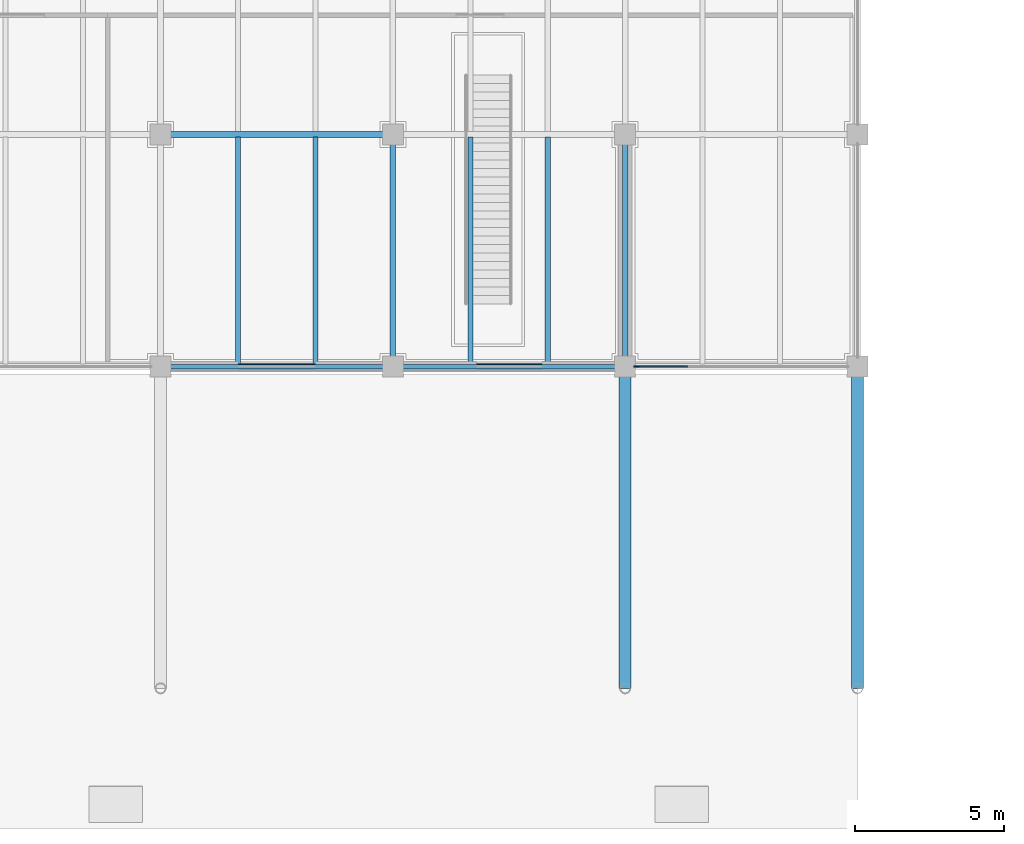
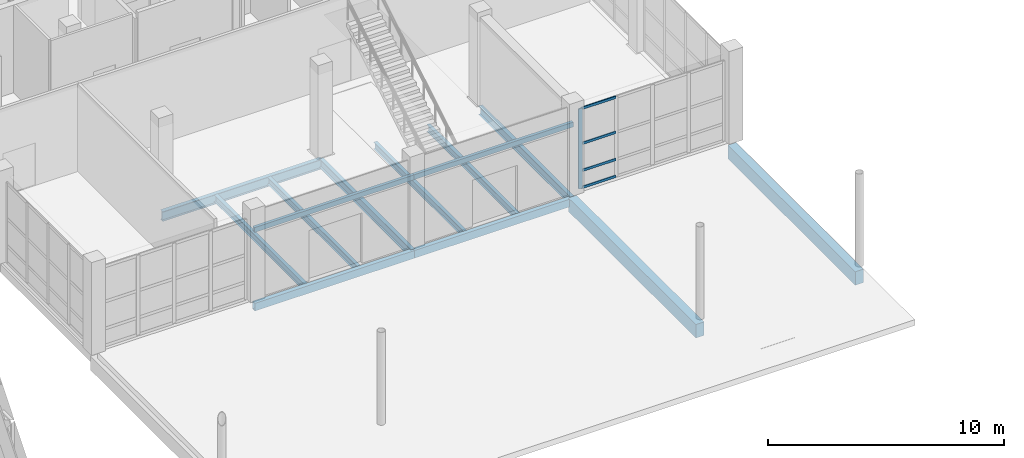
# One storey, part 36 of 131: 13 beams, 5 members, 1 element without a shape of its own.
"""IFC4 building model written with IfcOpenShell, lengths in metres."""

from ifc_helpers import new_model, si_unit, direction, frame, origin, origin_2d, place, context, subcontext, project, spatial, rectangle, hollow_rectangle, i_section, extrude, material, layer, layer_set, material_profile, profile_set, type_object, element, aggregate, save


model = new_model("IFC4")

# Units and contexts
model_context = context("Model", 3, precision=1e-05, world=origin(), true_north=direction((0.0, 1.0)))
body_context = subcontext(model_context, "Body", "Model", "MODEL_VIEW")
ifc_project = project(units=[si_unit("LENGTHUNIT", "METRE"), si_unit("AREAUNIT", "SQUARE_METRE"), si_unit("VOLUMEUNIT", "CUBIC_METRE"), si_unit("PLANEANGLEUNIT", "RADIAN"), si_unit("MASSUNIT", "GRAM", prefix="KILO")], contexts=[model_context])

# Site, building, storey
site_placement = place(None, origin())
site = spatial("IfcSite", under=ifc_project, at=site_placement, CompositionType="ELEMENT")
building_placement = place(site_placement, origin())
building = spatial("IfcBuilding", under=site, at=building_placement, Name="Celorna Specialist Clinic", CompositionType="ELEMENT")
storey_placement = place(building_placement, origin())
storey = spatial("IfcBuildingStorey", under=building, at=storey_placement, Name="L00", CompositionType="ELEMENT", Elevation=0.0)

# Beams
ifc_material_1 = material(Name="Steel S355", Category="steel")
ifc_material_profile_1 = material_profile(ifc_material_1, i_section(OverallWidth=0.199951171875, OverallDepth=0.5, WebThickness=0.01025390625, FlangeThickness=0.01611328125, at=origin_2d()), Name="IPE 500")
ifc_profile_set_1 = profile_set([ifc_material_profile_1], Name="Steel S355")
beam_type_1 = type_object("IfcBeamType", Name="BM-08", PredefinedType="BEAM", material=ifc_profile_set_1)
beam_placement = place(storey_placement, frame((62.39990234375, 27.300048828125, -0.550048828125), z_axis=(1.0, 0.0, 0.0), x_axis=(0.0, 1.0, 0.0)))
element("IfcBeam", 1, at=beam_placement, inside=storey, type_object=beam_type_1, Name="Primary girder BM-08 #2019", PredefinedType="BEAM", context=body_context, shape_type="SweptSolid", body=[
    extrude(i_section(OverallWidth=0.199951171875, OverallDepth=0.5, WebThickness=0.01025390625, FlangeThickness=0.01611328125, at=origin_2d()), origin(), (0.0, 0.0, 1.0), 7.800048828125),
])
ifc_material_profile_2 = material_profile(ifc_material_1, i_section(OverallWidth=0.18994140625, OverallDepth=0.449951171875, WebThickness=0.009521484375, FlangeThickness=0.0146484375, at=origin_2d()), Name="IPE 450")
ifc_profile_set_2 = profile_set([ifc_material_profile_2], Name="Steel S355")
beam_type_2 = type_object("IfcBeamType", Name="BM-09", PredefinedType="BEAM", material=ifc_profile_set_2)
for number, where, z_axis, x_axis, name in (
    (2, (70.199951171875, 19.5, -0.52490234375), (0.0, 1.0, 0.0), (-1.0, 0.0, 0.0), "Transverse girder BM-09 #2035"),
    (3, (78.0, 19.5, -0.52490234375), (0.0, 1.0, 0.0), (-1.0, 0.0, 0.0), "Transverse girder BM-09 #2038"),
):
    element("IfcBeam", number, at=place(storey_placement, frame(where, z_axis=z_axis, x_axis=x_axis)), inside=storey, type_object=beam_type_2, Name=name, PredefinedType="BEAM", context=body_context, shape_type="SweptSolid", body=[
        extrude(i_section(OverallWidth=0.18994140625, OverallDepth=0.449951171875, WebThickness=0.009521484375, FlangeThickness=0.0146484375, at=origin_2d()), origin(), (0.0, 0.0, 1.0), 7.800048828125),
    ])
ifc_material_profile_3 = material_profile(ifc_material_1, i_section(OverallWidth=0.169921875, OverallDepth=0.360107421875, WebThickness=0.008056640625, FlangeThickness=0.0126953125, at=origin_2d()), Name="IPE 360")
ifc_profile_set_3 = profile_set([ifc_material_profile_3], Name="Steel S355")
beam_type_3 = type_object("IfcBeamType", Name="BM-11", PredefinedType="JOIST", material=ifc_profile_set_3)
for number, where, z_axis, x_axis, name in (
    (4, (65.0, 19.587890625, -0.47998046875), (0.0, 1.0, 0.0), (-1.0, 0.0, 0.0), "Secondary floor joist BM-11 #2049"),
    (5, (67.60009765625, 19.587890625, -0.47998046875), (0.0, 1.0, 0.0), (-1.0, 0.0, 0.0), "Secondary floor joist BM-11 #2050"),
    (6, (72.800048828125, 19.587890625, -0.47998046875), (0.0, 1.0, 0.0), (-1.0, 0.0, 0.0), "Secondary floor joist BM-11 #2054"),
    (7, (75.39990234375, 19.587890625, -0.47998046875), (0.0, 1.0, 0.0), (-1.0, 0.0, 0.0), "Secondary floor joist BM-11 #2055"),
):
    element("IfcBeam", number, at=place(storey_placement, frame(where, z_axis=z_axis, x_axis=x_axis)), inside=storey, type_object=beam_type_3, Name=name, PredefinedType="JOIST", context=body_context, shape_type="SweptSolid", body=[
        extrude(i_section(OverallWidth=0.169921875, OverallDepth=0.360107421875, WebThickness=0.008056640625, FlangeThickness=0.0126953125, at=origin_2d()), origin(), (0.0, 0.0, 1.0), 7.6240234375),
    ])
ifc_material_profile_4 = material_profile(ifc_material_1, hollow_rectangle(XDim=0.199951171875, YDim=0.39990234375, WallThickness=0.011962890625, at=origin_2d()), Name="RHS 200x400x12")
ifc_profile_set_4 = profile_set([ifc_material_profile_4], Name="Steel S355")
beam_type_4 = type_object("IfcBeamType", Name="BM-15", PredefinedType="SPANDREL", material=ifc_profile_set_4)
for number, where, z_axis, x_axis, name in (
    (8, (62.39990234375, 19.5, -0.5), (1.0, 0.0, 0.0), (0.0, 1.0, 0.0), "Spandrel beam BM-15 #2015"),
    (9, (70.199951171875, 19.5, -0.5), (1.0, 0.0, 0.0), (0.0, 1.0, 0.0), "Spandrel beam BM-15 #2016"),
):
    element("IfcBeam", number, at=place(storey_placement, frame(where, z_axis=z_axis, x_axis=x_axis)), inside=storey, type_object=beam_type_4, Name=name, PredefinedType="SPANDREL", context=body_context, shape_type="SweptSolid", body=[
        extrude(hollow_rectangle(XDim=0.199951171875, YDim=0.39990234375, WallThickness=0.011962890625, at=origin_2d()), origin(), (0.0, 0.0, 1.0), 7.800048828125),
    ])
ifc_material_profile_5 = material_profile(ifc_material_1, hollow_rectangle(XDim=0.14990234375, YDim=0.25, WallThickness=0.010009765625, at=origin_2d()), Name="RHS 150x250x10")
ifc_profile_set_5 = profile_set([ifc_material_profile_5], Name="Steel S355")
beam_type_5 = type_object("IfcBeamType", Name="BM-17", PredefinedType="LINTEL", material=ifc_profile_set_5)
for number, where, z_axis, x_axis, name in (
    (10, (62.39990234375, 19.5, 3.47509765625), (1.0, 0.0, 0.0), (0.0, 1.0, 0.0), "Structural opening lintel BM-17 #5"),
    (11, (70.199951171875, 19.5, 3.47509765625), (1.0, 0.0, 0.0), (0.0, 1.0, 0.0), "Structural opening lintel BM-17 #6"),
):
    element("IfcBeam", number, at=place(storey_placement, frame(where, z_axis=z_axis, x_axis=x_axis)), inside=storey, type_object=beam_type_5, Name=name, PredefinedType="LINTEL", context=body_context, shape_type="SweptSolid", body=[
        extrude(hollow_rectangle(XDim=0.14990234375, YDim=0.25, WallThickness=0.010009765625, at=origin_2d()), origin(), (0.0, 0.0, 1.0), 7.800048828125),
    ])
ifc_material_2 = material(Name="Concrete C35/45", Category="concrete")
ifc_material_profile_6 = material_profile(ifc_material_2, rectangle(XDim=0.39990234375, YDim=0.699951171875, at=origin_2d()), Name="RC 400x700")
ifc_profile_set_6 = profile_set([ifc_material_profile_6], Name="Concrete C35/45")
beam_type_6 = type_object("IfcBeamType", Name="BM-19", PredefinedType="BEAM", material=ifc_profile_set_6)
for number, where, z_axis, x_axis, name in (
    (12, (78.0, 8.699951171875, -0.64990234375), (0.0, 1.0, 0.0), (-1.0, 0.0, 0.0), "Forecourt plaza RC beam BM-19 #2416"),
    (13, (85.800048828125, 8.699951171875, -0.64990234375), (0.0, 1.0, 0.0), (-1.0, 0.0, 0.0), "Forecourt plaza RC beam BM-19 #2417"),
):
    element("IfcBeam", number, at=place(storey_placement, frame(where, z_axis=z_axis, x_axis=x_axis)), inside=storey, type_object=beam_type_6, Name=name, PredefinedType="BEAM", context=body_context, shape_type="SweptSolid", body=[
        extrude(rectangle(XDim=0.39990234375, YDim=0.699951171875, at=origin_2d()), origin(), (0.0, 0.0, 1.0), 10.800048828125),
    ])

# Curtain wall, members
ifc_material_3 = material(Name="Thermally broken aluminium and solar-control glass curtain wall", Category="aluminium")
ifc_layer = layer(ifc_material_3, 0.159912109375, Name="Thermally broken aluminium and solar-control glass curtain wall")
ifc_layer_set = layer_set([ifc_layer], Name="Thermally broken aluminium and solar-control glass curtain wall")
curtain_wall_type = type_object("IfcCurtainWallType", Name="CW-102", PredefinedType="NOTDEFINED", material=ifc_layer_set)
curtain_wall_placement = place(storey_placement, origin())
curtain_wall = element("IfcCurtainWall", 14, at=curtain_wall_placement, inside=storey, type_object=curtain_wall_type, Name="Curtain wall CW-102 #180", PredefinedType="NOTDEFINED")
ifc_material_4 = material(Name="Anodized aluminium mullion", Category="aluminium")
ifc_material_profile_7 = material_profile(ifc_material_4, rectangle(XDim=0.050048828125, YDim=0.179931640625, at=origin_2d()), Name="ALU MULLION 50x180")
ifc_profile_set_7 = profile_set([ifc_material_profile_7], Name="Anodized aluminium mullion")
member_type_1 = type_object("IfcMemberType", Name="ML-02", PredefinedType="MULLION", material=ifc_profile_set_7)
member_1_placement = place(storey_placement, frame((78.37890625, 19.5, 0.0), z_axis=(0.0, 0.0, 1.0), x_axis=(0.0, -1.0, 0.0)))
member_1 = element("IfcMember", 15, at=member_1_placement, type_object=member_type_1, Name="CW-102 mullion 5", PredefinedType="MULLION", context=body_context, shape_type="SweptSolid", body=[
    extrude(rectangle(XDim=0.050048828125, YDim=0.179931640625, at=origin_2d()), origin(), (0.0, 0.0, 1.0), 4.139892578125),
])
ifc_material_5 = material(Name="Anodized aluminium transom", Category="aluminium")
ifc_material_profile_8 = material_profile(ifc_material_5, rectangle(XDim=0.050048828125, YDim=0.1298828125, at=origin_2d()), Name="ALU TRANSOM 50x130")
ifc_profile_set_8 = profile_set([ifc_material_profile_8], Name="Anodized aluminium transom")
member_type_2 = type_object("IfcMemberType", Name="TR-01", PredefinedType="USERDEFINED", material=ifc_profile_set_8)
member_2_placement = place(storey_placement, frame((80.10205078125, 19.5, 0.02490234375), z_axis=(-1.0, 0.0, 0.0), x_axis=(0.0, -1.0, 0.0)))
member_2 = element("IfcMember", 16, at=member_2_placement, type_object=member_type_2, Name="CW-102 transom 4.1", ObjectType="TRANSOM", PredefinedType="USERDEFINED", context=body_context, shape_type="SweptSolid", body=[
    extrude(rectangle(XDim=0.050048828125, YDim=0.1298828125, at=origin_2d()), origin(), (0.0, 0.0, 1.0), 1.697998046875),
])
member_3_placement = place(storey_placement, frame((80.10205078125, 19.5, 0.89990234375), z_axis=(-1.0, 0.0, 0.0), x_axis=(0.0, -1.0, 0.0)))
member_3 = element("IfcMember", 17, at=member_3_placement, type_object=member_type_2, Name="CW-102 transom 4.2", ObjectType="TRANSOM", PredefinedType="USERDEFINED", context=body_context, shape_type="SweptSolid", body=[
    extrude(rectangle(XDim=0.050048828125, YDim=0.1298828125, at=origin_2d()), origin(), (0.0, 0.0, 1.0), 1.697998046875),
])
member_4_placement = place(storey_placement, frame((80.10205078125, 19.5, 2.300048828125), z_axis=(-1.0, 0.0, 0.0), x_axis=(0.0, -1.0, 0.0)))
member_4 = element("IfcMember", 18, at=member_4_placement, type_object=member_type_2, Name="CW-102 transom 4.3", ObjectType="TRANSOM", PredefinedType="USERDEFINED", context=body_context, shape_type="SweptSolid", body=[
    extrude(rectangle(XDim=0.050048828125, YDim=0.1298828125, at=origin_2d()), origin(), (0.0, 0.0, 1.0), 1.697998046875),
])
member_5_placement = place(storey_placement, frame((80.10205078125, 19.5, 4.114990234375), z_axis=(-1.0, 0.0, 0.0), x_axis=(0.0, -1.0, 0.0)))
member_5 = element("IfcMember", 19, at=member_5_placement, type_object=member_type_2, Name="CW-102 transom 4.4", ObjectType="TRANSOM", PredefinedType="USERDEFINED", context=body_context, shape_type="SweptSolid", body=[
    extrude(rectangle(XDim=0.050048828125, YDim=0.1298828125, at=origin_2d()), origin(), (0.0, 0.0, 1.0), 1.697998046875),
])
aggregate(curtain_wall, [member_1, member_2, member_3, member_4, member_5])

save(model, "model.ifc")
